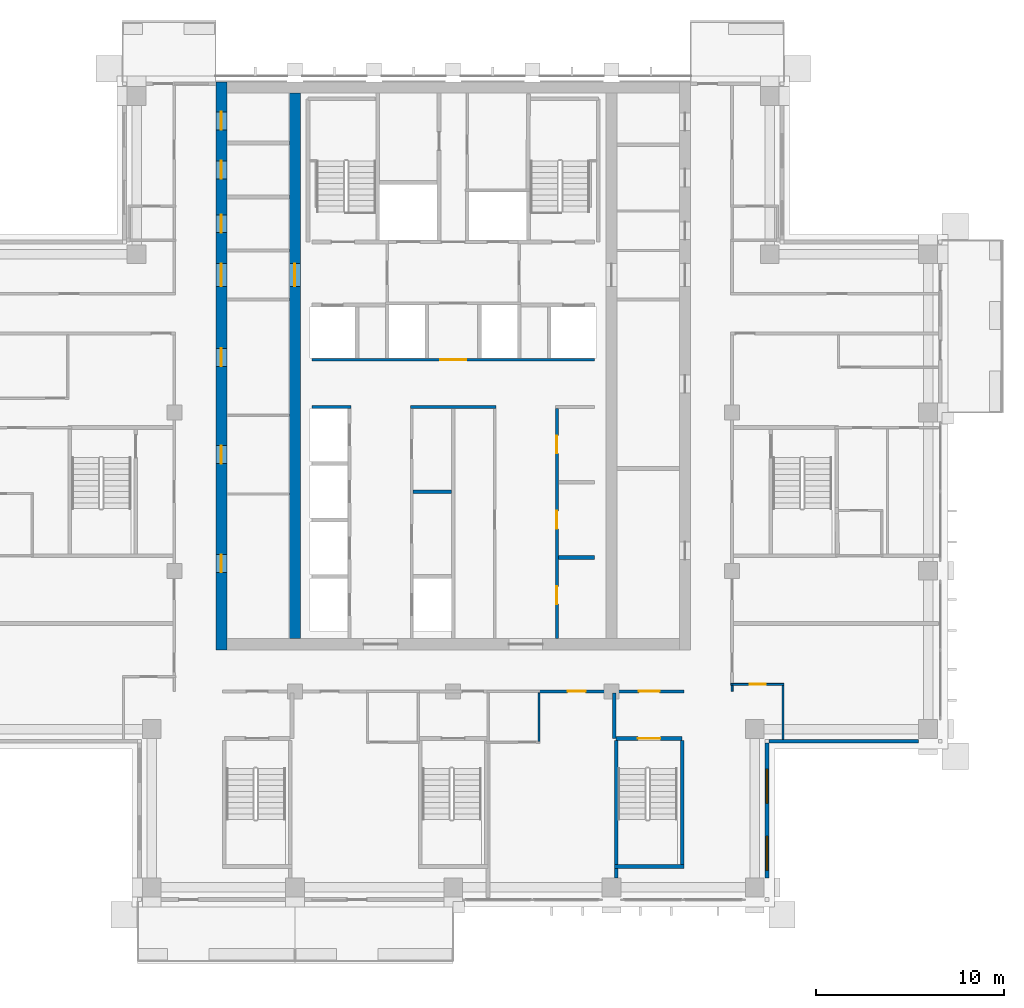
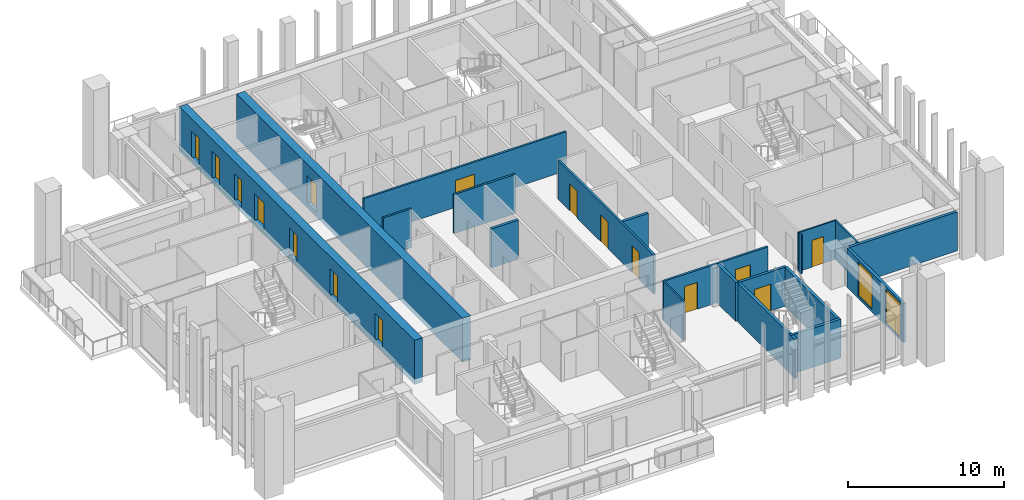
# One storey, part 8 of 16: 20 walls, 16 doors, 2 windows, 18 openings.
"""IFC4 building model written with IfcOpenShell, lengths in metres."""

from ifc_helpers import new_model, si_unit, direction, frame, frame_2d, origin, place, context, subcontext, project, spatial, rectangle, extrude, material, layer, layer_set, type_object, element, fill, save


model = new_model("IFC4")

# Units and contexts
model_context = context("Model", 3, precision=1e-05, world=origin(), true_north=direction((0.0, 1.0)))
body_context = subcontext(model_context, "Body", "Model", "MODEL_VIEW")
ifc_project = project(units=[si_unit("LENGTHUNIT", "METRE"), si_unit("AREAUNIT", "SQUARE_METRE"), si_unit("VOLUMEUNIT", "CUBIC_METRE"), si_unit("PLANEANGLEUNIT", "RADIAN"), si_unit("MASSUNIT", "GRAM", prefix="KILO")], contexts=[model_context])

# Site, building, storey
site_placement = place(None, origin())
site = spatial("IfcSite", under=ifc_project, at=site_placement, CompositionType="ELEMENT")
building_placement = place(site_placement, origin())
building = spatial("IfcBuilding", under=site, at=building_placement, Name="Vermilion Ogive Tower", CompositionType="ELEMENT")
storey_placement = place(building_placement, frame((0.0, 0.0, 206.60009765625)))
storey = spatial("IfcBuildingStorey", under=building, at=storey_placement, Name="L54", CompositionType="ELEMENT", Elevation=206.60009765625)

# Wall, openings, doors
ifc_material_1 = material(Name="Concrete B60", Category="concrete")
ifc_layer_1 = layer(ifc_material_1, 0.60009765625)
ifc_layer_set_1 = layer_set([ifc_layer_1], Name="Core wall 600 B60")
wall_type_1 = type_object("IfcWallType", Name="Core wall 600 B60", PredefinedType="SHEAR", material=ifc_layer_set_1)
wall_1_placement = place(storey_placement, frame((-12.300048828125, -8.39990234375, -0.400146484375), z_axis=(0.0, 0.0, 1.0), x_axis=(0.0, 1.0, 0.0)))
wall_1 = element("IfcWall", 1, at=wall_1_placement, inside=storey, type_object=wall_type_1, Name="L54-CORE-W", PredefinedType="SHEAR", context=body_context, shape_type="SweptSolid", body=[
    extrude(rectangle(XDim=30.14990234375, YDim=0.60009765625, at=frame_2d((15.074951171875, 0.0))), origin(), (0.0, 0.0, 1.0), 3.449951171875),
])
opening_1_placement = place(wall_1_placement, frame((4.112548828125, 0.0, 0.39990234375)))
opening_1 = element("IfcOpeningElement", 2, at=opening_1_placement, cuts=wall_1, Name="Opening DAD089", PredefinedType="OPENING", context=body_context, shape_type="SweptSolid", body=[
    extrude(rectangle(XDim=0.949951171875, YDim=2.10009765625, at=frame_2d((0.47509765625, 1.050048828125))), frame((0.0, 0.31005859375, 0.0), z_axis=(0.0, -1.0, 0.0), x_axis=(1.0, 0.0, 0.0)), (0.0, 0.0, 1.0), 0.6201171875),
])
opening_2_placement = place(wall_1_placement, frame((9.8896484375, 0.0, 0.39990234375)))
opening_2 = element("IfcOpeningElement", 3, at=opening_2_placement, cuts=wall_1, Name="Opening DAD090", PredefinedType="OPENING", context=body_context, shape_type="SweptSolid", body=[
    extrude(rectangle(XDim=0.949951171875, YDim=2.10009765625, at=frame_2d((0.47509765625, 1.050048828125))), frame((0.0, 0.31005859375, 0.0), z_axis=(0.0, -1.0, 0.0), x_axis=(1.0, 0.0, 0.0)), (0.0, 0.0, 1.0), 0.6201171875),
])
opening_3_placement = place(wall_1_placement, frame((15.052001953125, 0.0, 0.39990234375)))
opening_3 = element("IfcOpeningElement", 4, at=opening_3_placement, cuts=wall_1, Name="Opening DAD091", PredefinedType="OPENING", context=body_context, shape_type="SweptSolid", body=[
    extrude(rectangle(XDim=0.949951171875, YDim=2.10009765625, at=frame_2d((0.47509765625, 1.050048828125))), frame((0.0, 0.31005859375, 0.0), z_axis=(0.0, -1.0, 0.0), x_axis=(1.0, 0.0, 0.0)), (0.0, 0.0, 1.0), 0.6201171875),
])
opening_4_placement = place(wall_1_placement, frame((22.1435546875, 0.0, 0.39990234375)))
opening_4 = element("IfcOpeningElement", 5, at=opening_4_placement, cuts=wall_1, Name="Opening DAD092", PredefinedType="OPENING", context=body_context, shape_type="SweptSolid", body=[
    extrude(rectangle(XDim=0.949951171875, YDim=2.10009765625, at=frame_2d((0.47509765625, 1.050048828125))), frame((0.0, 0.31005859375, 0.0), z_axis=(0.0, -1.0, 0.0), x_axis=(1.0, 0.0, 0.0)), (0.0, 0.0, 1.0), 0.6201171875),
])
opening_5_placement = place(wall_1_placement, frame((24.998291015625, 0.0, 0.39990234375)))
opening_5 = element("IfcOpeningElement", 6, at=opening_5_placement, cuts=wall_1, Name="Opening DAD093", PredefinedType="OPENING", context=body_context, shape_type="SweptSolid", body=[
    extrude(rectangle(XDim=0.949951171875, YDim=2.10009765625, at=frame_2d((0.47509765625, 1.050048828125))), frame((0.0, 0.31005859375, 0.0), z_axis=(0.0, -1.0, 0.0), x_axis=(1.0, 0.0, 0.0)), (0.0, 0.0, 1.0), 0.6201171875),
])
opening_6_placement = place(wall_1_placement, frame((27.604736328125, 0.0, 0.39990234375)))
opening_6 = element("IfcOpeningElement", 7, at=opening_6_placement, cuts=wall_1, Name="Opening DAD094", PredefinedType="OPENING", context=body_context, shape_type="SweptSolid", body=[
    extrude(rectangle(XDim=0.949951171875, YDim=2.10009765625, at=frame_2d((0.47509765625, 1.050048828125))), frame((0.0, 0.31005859375, 0.0), z_axis=(0.0, -1.0, 0.0), x_axis=(1.0, 0.0, 0.0)), (0.0, 0.0, 1.0), 0.6201171875),
])
opening_7_placement = place(wall_1_placement, frame((19.300048828125, 0.0, 0.39990234375)))
opening_7 = element("IfcOpeningElement", 8, at=opening_7_placement, cuts=wall_1, Name="Opening DAM022", PredefinedType="OPENING", context=body_context, shape_type="SweptSolid", body=[
    extrude(rectangle(XDim=1.199951171875, YDim=2.10009765625, at=frame_2d((0.60009765625, 1.050048828125))), frame((0.0, 0.31005859375, 0.0), z_axis=(0.0, -1.0, 0.0), x_axis=(1.0, 0.0, 0.0)), (0.0, 0.0, 1.0), 0.6201171875),
])
ifc_material_2 = material(Name="Timber door leaf", Category="wood")
door_type_1 = type_object("IfcDoorType", Name="Link door 1200 x 2100 FD60S", OperationType="SINGLE_SWING_LEFT", PredefinedType="DOOR", material=ifc_material_2)
door_1_placement = place(opening_7_placement, origin())
door_1 = element("IfcDoor", 9, at=door_1_placement, inside=storey, type_object=door_type_1, Name="L54-CKW-XL", OperationType="SINGLE_SWING_LEFT", OverallHeight=2.10009765625, OverallWidth=1.199951171875, PredefinedType="DOOR", context=body_context, shape_type="SweptSolid", body=[
    extrude(rectangle(XDim=1.199951171875, YDim=2.10009765625, at=frame_2d((0.60009765625, 1.050048828125))), frame((0.0, 0.02490234375, 0.0), z_axis=(0.0, -1.0, 0.0), x_axis=(1.0, 0.0, 0.0)), (0.0, 0.0, 1.0), 0.050048828125),
])
fill(opening_7, door_1)
ifc_material_3 = material(Name="Timber door leaf", Category="wood")
door_type_2 = type_object("IfcDoorType", Name="Service door 950 x 2100 FD60", OperationType="SINGLE_SWING_LEFT", PredefinedType="DOOR", material=ifc_material_3)
door_2_placement = place(opening_1_placement, origin())
door_2 = element("IfcDoor", 10, at=door_2_placement, inside=storey, type_object=door_type_2, Name="L54-CKW-XR0", OperationType="SINGLE_SWING_LEFT", OverallHeight=2.10009765625, OverallWidth=0.949951171875, PredefinedType="DOOR", context=body_context, shape_type="SweptSolid", body=[
    extrude(rectangle(XDim=0.949951171875, YDim=2.10009765625, at=frame_2d((0.47509765625, 1.050048828125))), frame((0.0, 0.02490234375, 0.0), z_axis=(0.0, -1.0, 0.0), x_axis=(1.0, 0.0, 0.0)), (0.0, 0.0, 1.0), 0.050048828125),
])
fill(opening_1, door_2)
door_3_placement = place(opening_2_placement, origin())
door_3 = element("IfcDoor", 11, at=door_3_placement, inside=storey, type_object=door_type_2, Name="L54-CKW-XR1", OperationType="SINGLE_SWING_LEFT", OverallHeight=2.10009765625, OverallWidth=0.949951171875, PredefinedType="DOOR", context=body_context, shape_type="SweptSolid", body=[
    extrude(rectangle(XDim=0.949951171875, YDim=2.10009765625, at=frame_2d((0.47509765625, 1.050048828125))), frame((0.0, 0.02490234375, 0.0), z_axis=(0.0, -1.0, 0.0), x_axis=(1.0, 0.0, 0.0)), (0.0, 0.0, 1.0), 0.050048828125),
])
fill(opening_2, door_3)
door_4_placement = place(opening_3_placement, origin())
door_4 = element("IfcDoor", 12, at=door_4_placement, inside=storey, type_object=door_type_2, Name="L54-CKW-XR2", OperationType="SINGLE_SWING_LEFT", OverallHeight=2.10009765625, OverallWidth=0.949951171875, PredefinedType="DOOR", context=body_context, shape_type="SweptSolid", body=[
    extrude(rectangle(XDim=0.949951171875, YDim=2.10009765625, at=frame_2d((0.47509765625, 1.050048828125))), frame((0.0, 0.02490234375, 0.0), z_axis=(0.0, -1.0, 0.0), x_axis=(1.0, 0.0, 0.0)), (0.0, 0.0, 1.0), 0.050048828125),
])
fill(opening_3, door_4)
door_5_placement = place(opening_4_placement, origin())
door_5 = element("IfcDoor", 13, at=door_5_placement, inside=storey, type_object=door_type_2, Name="L54-CKW-XR3", OperationType="SINGLE_SWING_LEFT", OverallHeight=2.10009765625, OverallWidth=0.949951171875, PredefinedType="DOOR", context=body_context, shape_type="SweptSolid", body=[
    extrude(rectangle(XDim=0.949951171875, YDim=2.10009765625, at=frame_2d((0.47509765625, 1.050048828125))), frame((0.0, 0.02490234375, 0.0), z_axis=(0.0, -1.0, 0.0), x_axis=(1.0, 0.0, 0.0)), (0.0, 0.0, 1.0), 0.050048828125),
])
fill(opening_4, door_5)
door_6_placement = place(opening_5_placement, origin())
door_6 = element("IfcDoor", 14, at=door_6_placement, inside=storey, type_object=door_type_2, Name="L54-CKW-XR4", OperationType="SINGLE_SWING_LEFT", OverallHeight=2.10009765625, OverallWidth=0.949951171875, PredefinedType="DOOR", context=body_context, shape_type="SweptSolid", body=[
    extrude(rectangle(XDim=0.949951171875, YDim=2.10009765625, at=frame_2d((0.47509765625, 1.050048828125))), frame((0.0, 0.02490234375, 0.0), z_axis=(0.0, -1.0, 0.0), x_axis=(1.0, 0.0, 0.0)), (0.0, 0.0, 1.0), 0.050048828125),
])
fill(opening_5, door_6)
door_7_placement = place(opening_6_placement, origin())
door_7 = element("IfcDoor", 15, at=door_7_placement, inside=storey, type_object=door_type_2, Name="L54-CKW-XR5", OperationType="SINGLE_SWING_LEFT", OverallHeight=2.10009765625, OverallWidth=0.949951171875, PredefinedType="DOOR", context=body_context, shape_type="SweptSolid", body=[
    extrude(rectangle(XDim=0.949951171875, YDim=2.10009765625, at=frame_2d((0.47509765625, 1.050048828125))), frame((0.0, 0.02490234375, 0.0), z_axis=(0.0, -1.0, 0.0), x_axis=(1.0, 0.0, 0.0)), (0.0, 0.0, 1.0), 0.050048828125),
])
fill(opening_6, door_7)

# Wall, opening, door
wall_2_placement = place(storey_placement, frame((-8.39990234375, -7.800048828125, -0.400146484375), z_axis=(0.0, 0.0, 1.0), x_axis=(0.0, 1.0, 0.0)))
wall_2 = element("IfcWall", 16, at=wall_2_placement, inside=storey, type_object=wall_type_1, Name="L54-CORE-WEB1", PredefinedType="SHEAR", context=body_context, shape_type="SweptSolid", body=[
    extrude(rectangle(XDim=28.949951171875, YDim=0.60009765625, at=frame_2d((14.47509765625, 0.0))), origin(), (0.0, 0.0, 1.0), 3.449951171875),
])
opening_8_placement = place(wall_2_placement, frame((18.699951171875, 0.0, 0.39990234375)))
opening_8 = element("IfcOpeningElement", 17, at=opening_8_placement, cuts=wall_2, Name="Opening DAP017", PredefinedType="OPENING", context=body_context, shape_type="SweptSolid", body=[
    extrude(rectangle(XDim=1.199951171875, YDim=2.10009765625, at=frame_2d((0.60009765625, 1.050048828125))), frame((0.0, 0.31005859375, 0.0), z_axis=(0.0, -1.0, 0.0), x_axis=(1.0, 0.0, 0.0)), (0.0, 0.0, 1.0), 0.6201171875),
])
door_8_placement = place(opening_8_placement, origin())
door_8 = element("IfcDoor", 18, at=door_8_placement, inside=storey, type_object=door_type_1, Name="L54-CKW-XW", OperationType="SINGLE_SWING_LEFT", OverallHeight=2.10009765625, OverallWidth=1.199951171875, PredefinedType="DOOR", context=body_context, shape_type="SweptSolid", body=[
    extrude(rectangle(XDim=1.199951171875, YDim=2.10009765625, at=frame_2d((0.60009765625, 1.050048828125))), frame((0.0, 0.02490234375, 0.0), z_axis=(0.0, -1.0, 0.0), x_axis=(1.0, 0.0, 0.0)), (0.0, 0.0, 1.0), 0.050048828125),
])
fill(opening_8, door_8)

ifc_material_4 = material(Name="Gypsum board partition on steel studs", Category="steel")
ifc_layer_2 = layer(ifc_material_4, 0.10009765625)
ifc_layer_set_2 = layer_set([ifc_layer_2], Name="Partition 100 bath")
wall_type_2 = type_object("IfcWallType", Name="Partition 100 bath", PredefinedType="PARTITIONING", material=ifc_layer_set_2)
wall_3_placement = place(storey_placement, frame((14.72509765625, -10.22998046875, 0.0), z_axis=(0.0, 0.0, 1.0), x_axis=(1.0, 0.0, 0.0)))
wall_3 = element("IfcWall", 19, at=wall_3_placement, inside=storey, type_object=wall_type_2, Name="L54-W-W012", PredefinedType="PARTITIONING", context=body_context, shape_type="SweptSolid", body=[
    extrude(rectangle(XDim=2.824951171875, YDim=0.10009765625, at=frame_2d((1.41259765625, 0.0))), origin(), (0.0, 0.0, 1.0), 3.0498046875),
])
opening_9_placement = place(wall_3_placement, frame((1.0, 0.0, 0.0)))
opening_9 = element("IfcOpeningElement", 20, at=opening_9_placement, cuts=wall_3, Name="Opening D4G5014", PredefinedType="OPENING", context=body_context, shape_type="SweptSolid", body=[
    extrude(rectangle(XDim=0.85009765625, YDim=2.10009765625, at=frame_2d((0.425048828125, 1.050048828125))), frame((0.0, 0.06005859375, 0.0), z_axis=(0.0, -1.0, 0.0), x_axis=(1.0, 0.0, 0.0)), (0.0, 0.0, 1.0), 0.1201171875),
])
ifc_material_5 = material(Name="Timber door leaf", Category="wood")
door_type_3 = type_object("IfcDoorType", Name="Bath door 850 x 2100 FD30", OperationType="SINGLE_SWING_LEFT", PredefinedType="DOOR", material=ifc_material_5)
door_9_placement = place(opening_9_placement, origin())
door_9 = element("IfcDoor", 21, at=door_9_placement, inside=storey, type_object=door_type_3, Name="L54-D-D014", OperationType="SINGLE_SWING_RIGHT", OverallHeight=2.10009765625, OverallWidth=0.85009765625, PredefinedType="DOOR", context=body_context, shape_type="SweptSolid", body=[
    extrude(rectangle(XDim=0.85009765625, YDim=2.10009765625, at=frame_2d((0.425048828125, 1.050048828125))), frame((0.0, 0.02490234375, 0.0), z_axis=(0.0, -1.0, 0.0), x_axis=(1.0, 0.0, 0.0)), (0.0, 0.0, 1.0), 0.050048828125),
])
fill(opening_9, door_9)

# Walls
wall_4_placement = place(storey_placement, frame((4.550048828125, -13.25, 0.0), z_axis=(0.0, 0.0, 1.0), x_axis=(0.0, 1.0, 0.0)))
element("IfcWall", 22, at=wall_4_placement, inside=storey, type_object=wall_type_2, Name="L54-W-W057", PredefinedType="PARTITIONING", context=body_context, shape_type="SweptSolid", body=[
    extrude(rectangle(XDim=2.574951171875, YDim=0.10009765625, at=frame_2d((1.28759765625, 0.0))), origin(), (0.0, 0.0, 1.0), 3.0498046875),
])
wall_5_placement = place(storey_placement, frame((14.800048828125, -10.60009765625, 0.0), z_axis=(0.0, 0.0, 1.0), x_axis=(0.0, 1.0, 0.0)))
element("IfcWall", 23, at=wall_5_placement, inside=storey, type_object=wall_type_2, Name="L54-W-W059", PredefinedType="PARTITIONING", context=body_context, shape_type="SweptSolid", body=[
    extrude(rectangle(XDim=0.320068359375, YDim=0.10009765625, at=frame_2d((0.16015625, 0.0))), origin(), (0.0, 0.0, 1.0), 3.0498046875),
])
wall_6_placement = place(storey_placement, frame((17.5, -13.14990234375, 0.0), z_axis=(0.0, 0.0, 1.0), x_axis=(0.0, 1.0, 0.0)))
element("IfcWall", 24, at=wall_6_placement, inside=storey, type_object=wall_type_2, Name="L54-W-W066", PredefinedType="PARTITIONING", context=body_context, shape_type="SweptSolid", body=[
    extrude(rectangle(XDim=2.869873046875, YDim=0.10009765625, at=frame_2d((1.43505859375, 0.0))), origin(), (0.0, 0.0, 1.0), 3.0498046875),
])

# Wall, openings, doors
ifc_material_6 = material(Name="Gypsum board partition on steel studs", Category="steel")
ifc_layer_3 = layer(ifc_material_6, 0.14990234375)
ifc_layer_set_3 = layer_set([ifc_layer_3], Name="Partition 150 corridor")
wall_type_3 = type_object("IfcWallType", Name="Partition 150 corridor", PredefinedType="PARTITIONING", material=ifc_layer_set_3)
wall_7_placement = place(storey_placement, frame((4.5, -10.60009765625, 0.0), z_axis=(0.0, 0.0, 1.0), x_axis=(1.0, 0.0, 0.0)))
wall_7 = element("IfcWall", 25, at=wall_7_placement, inside=storey, type_object=wall_type_3, Name="L54-W-W011", PredefinedType="PARTITIONING", context=body_context, shape_type="SweptSolid", body=[
    extrude(rectangle(XDim=7.75, YDim=0.14990234375, at=frame_2d((3.875, 0.0))), origin(), (0.0, 0.0, 1.0), 3.0498046875),
])
opening_10_placement = place(wall_7_placement, frame((1.574951171875, 0.0, 0.0)))
opening_10 = element("IfcOpeningElement", 26, at=opening_10_placement, cuts=wall_7, Name="Opening D4G5011", PredefinedType="OPENING", context=body_context, shape_type="SweptSolid", body=[
    extrude(rectangle(XDim=0.949951171875, YDim=2.10009765625, at=frame_2d((0.47509765625, 1.050048828125))), frame((0.0, 0.0849609375, 0.0), z_axis=(0.0, -1.0, 0.0), x_axis=(1.0, 0.0, 0.0)), (0.0, 0.0, 1.0), 0.169921875),
])
opening_11_placement = place(wall_7_placement, frame((5.35009765625, 0.0, 0.0)))
opening_11 = element("IfcOpeningElement", 27, at=opening_11_placement, cuts=wall_7, Name="Opening D4G5026", PredefinedType="OPENING", context=body_context, shape_type="SweptSolid", body=[
    extrude(rectangle(XDim=1.10009765625, YDim=2.10009765625, at=frame_2d((0.550048828125, 1.050048828125))), frame((0.0, 0.0849609375, 0.0), z_axis=(0.0, -1.0, 0.0), x_axis=(1.0, 0.0, 0.0)), (0.0, 0.0, 1.0), 0.169921875),
])
ifc_material_7 = material(Name="Timber door leaf", Category="wood")
door_type_4 = type_object("IfcDoorType", Name="Stair door 1100 x 2100 FD60S", OperationType="SINGLE_SWING_LEFT", PredefinedType="DOOR", material=ifc_material_7)
door_10_placement = place(opening_11_placement, origin())
door_10 = element("IfcDoor", 28, at=door_10_placement, inside=storey, type_object=door_type_4, Name="L54-D-D026", OperationType="SINGLE_SWING_LEFT", OverallHeight=2.10009765625, OverallWidth=1.10009765625, PredefinedType="DOOR", context=body_context, shape_type="SweptSolid", body=[
    extrude(rectangle(XDim=1.10009765625, YDim=2.10009765625, at=frame_2d((0.550048828125, 1.050048828125))), frame((0.0, 0.02490234375, 0.0), z_axis=(0.0, -1.0, 0.0), x_axis=(1.0, 0.0, 0.0)), (0.0, 0.0, 1.0), 0.050048828125),
])
fill(opening_11, door_10)
ifc_material_8 = material(Name="Timber door leaf", Category="wood")
door_type_5 = type_object("IfcDoorType", Name="Unit door 950 x 2100 FD30S", OperationType="SINGLE_SWING_LEFT", PredefinedType="DOOR", material=ifc_material_8)
door_11_placement = place(opening_10_placement, origin())
door_11 = element("IfcDoor", 29, at=door_11_placement, inside=storey, type_object=door_type_5, Name="L54-D-D011", OperationType="SINGLE_SWING_LEFT", OverallHeight=2.10009765625, OverallWidth=0.949951171875, PredefinedType="DOOR", context=body_context, shape_type="SweptSolid", body=[
    extrude(rectangle(XDim=0.949951171875, YDim=2.10009765625, at=frame_2d((0.47509765625, 1.050048828125))), frame((0.0, 0.02490234375, 0.0), z_axis=(0.0, -1.0, 0.0), x_axis=(1.0, 0.0, 0.0)), (0.0, 0.0, 1.0), 0.050048828125),
])
fill(opening_10, door_11)

# Walls
wall_8_placement = place(storey_placement, frame((-7.5, 4.5, 0.0), z_axis=(0.0, 0.0, 1.0), x_axis=(1.0, 0.0, 0.0)))
element("IfcWall", 30, at=wall_8_placement, inside=storey, type_object=wall_type_3, Name="L54-CK-W-W008", PredefinedType="PARTITIONING", context=body_context, shape_type="SweptSolid", body=[
    extrude(rectangle(XDim=2.074951171875, YDim=0.14990234375, at=frame_2d((1.03759765625, 0.0))), origin(), (0.0, 0.0, 1.0), 3.0498046875),
])
wall_9_placement = place(storey_placement, frame((-2.27490234375, 4.5, 0.0), z_axis=(0.0, 0.0, 1.0), x_axis=(1.0, 0.0, 0.0)))
element("IfcWall", 31, at=wall_9_placement, inside=storey, type_object=wall_type_3, Name="L54-CK-W-W009", PredefinedType="PARTITIONING", context=body_context, shape_type="SweptSolid", body=[
    extrude(rectangle(XDim=4.5498046875, YDim=0.14990234375, at=frame_2d((2.27490234375, 0.0))), origin(), (0.0, 0.0, 1.0), 3.0498046875),
])

# Wall, opening, door
wall_10_placement = place(storey_placement, frame((-7.5, 7.0, 0.0), z_axis=(0.0, 0.0, 1.0), x_axis=(1.0, 0.0, 0.0)))
wall_10 = element("IfcWall", 32, at=wall_10_placement, inside=storey, type_object=wall_type_3, Name="L54-CK-W-W011", PredefinedType="PARTITIONING", context=body_context, shape_type="SweptSolid", body=[
    extrude(rectangle(XDim=15.0, YDim=0.14990234375, at=frame_2d((7.5, 0.0))), origin(), (0.0, 0.0, 1.0), 3.0498046875),
])
opening_12_placement = place(wall_10_placement, frame((6.800048828125, 0.0, 0.0)))
opening_12 = element("IfcOpeningElement", 33, at=opening_12_placement, cuts=wall_10, Name="Opening DAA492", PredefinedType="OPENING", context=body_context, shape_type="SweptSolid", body=[
    extrude(rectangle(XDim=1.39990234375, YDim=2.10009765625, at=frame_2d((0.699951171875, 1.050048828125))), frame((0.0, 0.0849609375, 0.0), z_axis=(0.0, -1.0, 0.0), x_axis=(1.0, 0.0, 0.0)), (0.0, 0.0, 1.0), 0.169921875),
])
ifc_material_9 = material(Name="Timber door leaf", Category="wood")
door_type_6 = type_object("IfcDoorType", Name="Lobby door 1400 x 2100 FD60S", OperationType="SINGLE_SWING_LEFT", PredefinedType="DOOR", material=ifc_material_9)
door_12_placement = place(opening_12_placement, origin())
door_12 = element("IfcDoor", 34, at=door_12_placement, inside=storey, type_object=door_type_6, Name="L54-CK-D-D016", OperationType="SINGLE_SWING_RIGHT", OverallHeight=2.10009765625, OverallWidth=1.39990234375, PredefinedType="DOOR", context=body_context, shape_type="SweptSolid", body=[
    extrude(rectangle(XDim=1.39990234375, YDim=2.10009765625, at=frame_2d((0.699951171875, 1.050048828125))), frame((0.0, 0.02490234375, 0.0), z_axis=(0.0, -1.0, 0.0), x_axis=(1.0, 0.0, 0.0)), (0.0, 0.0, 1.0), 0.050048828125),
])
fill(opening_12, door_12)

# Wall, openings, doors
wall_11_placement = place(storey_placement, frame((5.5, -7.799072265625, 0.0), z_axis=(0.0, 0.0, 1.0), x_axis=(0.0, 1.0, 0.0)))
wall_11 = element("IfcWall", 35, at=wall_11_placement, inside=storey, type_object=wall_type_3, Name="L54-CK-W-W038", PredefinedType="PARTITIONING", context=body_context, shape_type="SweptSolid", body=[
    extrude(rectangle(XDim=12.22412109375, YDim=0.14990234375, at=frame_2d((6.112060546875, 0.0))), origin(), (0.0, 0.0, 1.0), 3.0498046875),
])
opening_13_placement = place(wall_11_placement, frame((1.823974609375, 0.0, 0.0)))
opening_13 = element("IfcOpeningElement", 36, at=opening_13_placement, cuts=wall_11, Name="Opening DAA498", PredefinedType="OPENING", context=body_context, shape_type="SweptSolid", body=[
    extrude(rectangle(XDim=0.949951171875, YDim=2.10009765625, at=frame_2d((0.47509765625, 1.050048828125))), frame((0.0, 0.0849609375, 0.0), z_axis=(0.0, -1.0, 0.0), x_axis=(1.0, 0.0, 0.0)), (0.0, 0.0, 1.0), 0.169921875),
])
opening_14_placement = place(wall_11_placement, frame((5.823974609375, 0.0, 0.0)))
opening_14 = element("IfcOpeningElement", 37, at=opening_14_placement, cuts=wall_11, Name="Opening DAA499", PredefinedType="OPENING", context=body_context, shape_type="SweptSolid", body=[
    extrude(rectangle(XDim=0.949951171875, YDim=2.10009765625, at=frame_2d((0.47509765625, 1.050048828125))), frame((0.0, 0.0849609375, 0.0), z_axis=(0.0, -1.0, 0.0), x_axis=(1.0, 0.0, 0.0)), (0.0, 0.0, 1.0), 0.169921875),
])
opening_15_placement = place(wall_11_placement, frame((9.823974609375, 0.0, 0.0)))
opening_15 = element("IfcOpeningElement", 38, at=opening_15_placement, cuts=wall_11, Name="Opening DAA500", PredefinedType="OPENING", context=body_context, shape_type="SweptSolid", body=[
    extrude(rectangle(XDim=0.949951171875, YDim=2.10009765625, at=frame_2d((0.47509765625, 1.050048828125))), frame((0.0, 0.0849609375, 0.0), z_axis=(0.0, -1.0, 0.0), x_axis=(1.0, 0.0, 0.0)), (0.0, 0.0, 1.0), 0.169921875),
])
door_13_placement = place(opening_13_placement, origin())
door_13 = element("IfcDoor", 39, at=door_13_placement, inside=storey, type_object=door_type_2, Name="L54-CK-D-D009", OperationType="SINGLE_SWING_LEFT", OverallHeight=2.10009765625, OverallWidth=0.949951171875, PredefinedType="DOOR", context=body_context, shape_type="SweptSolid", body=[
    extrude(rectangle(XDim=0.949951171875, YDim=2.10009765625, at=frame_2d((0.47509765625, 1.050048828125))), frame((0.0, 0.02490234375, 0.0), z_axis=(0.0, -1.0, 0.0), x_axis=(1.0, 0.0, 0.0)), (0.0, 0.0, 1.0), 0.050048828125),
])
fill(opening_13, door_13)
door_14_placement = place(opening_14_placement, origin())
door_14 = element("IfcDoor", 40, at=door_14_placement, inside=storey, type_object=door_type_2, Name="L54-CK-D-D010", OperationType="SINGLE_SWING_LEFT", OverallHeight=2.10009765625, OverallWidth=0.949951171875, PredefinedType="DOOR", context=body_context, shape_type="SweptSolid", body=[
    extrude(rectangle(XDim=0.949951171875, YDim=2.10009765625, at=frame_2d((0.47509765625, 1.050048828125))), frame((0.0, 0.02490234375, 0.0), z_axis=(0.0, -1.0, 0.0), x_axis=(1.0, 0.0, 0.0)), (0.0, 0.0, 1.0), 0.050048828125),
])
fill(opening_14, door_14)
door_15_placement = place(opening_15_placement, origin())
door_15 = element("IfcDoor", 41, at=door_15_placement, inside=storey, type_object=door_type_2, Name="L54-CK-D-D011", OperationType="SINGLE_SWING_RIGHT", OverallHeight=2.10009765625, OverallWidth=0.949951171875, PredefinedType="DOOR", context=body_context, shape_type="SweptSolid", body=[
    extrude(rectangle(XDim=0.949951171875, YDim=2.10009765625, at=frame_2d((0.47509765625, 1.050048828125))), frame((0.0, 0.02490234375, 0.0), z_axis=(0.0, -1.0, 0.0), x_axis=(1.0, 0.0, 0.0)), (0.0, 0.0, 1.0), 0.050048828125),
])
fill(opening_15, door_15)

# Walls
ifc_material_10 = material(Name="Gypsum board partition on steel studs", Category="steel")
ifc_layer_4 = layer(ifc_material_10, 0.199951171875)
ifc_layer_set_4 = layer_set([ifc_layer_4], Name="Partition 200 party")
wall_type_4 = type_object("IfcWallType", Name="Partition 200 party", PredefinedType="PARTITIONING", material=ifc_layer_set_4)
wall_12_placement = place(storey_placement, frame((8.550048828125, -13.10009765625, 0.0), z_axis=(0.0, 0.0, 1.0), x_axis=(0.0, 1.0, 0.0)))
element("IfcWall", 42, at=wall_12_placement, inside=storey, type_object=wall_type_4, Name="L54-W-W058", PredefinedType="PARTITIONING", context=body_context, shape_type="SweptSolid", body=[
    extrude(rectangle(XDim=2.425048828125, YDim=0.199951171875, at=frame_2d((1.21240234375, 0.0))), origin(), (0.0, 0.0, 1.0), 3.0498046875),
])
wall_13_placement = place(storey_placement, frame((5.574951171875, -3.5, 0.0), z_axis=(0.0, 0.0, 1.0), x_axis=(1.0, 0.0, 0.0)))
element("IfcWall", 43, at=wall_13_placement, inside=storey, type_object=wall_type_4, Name="L54-CK-W-W003", PredefinedType="PARTITIONING", context=body_context, shape_type="SweptSolid", body=[
    extrude(rectangle(XDim=1.925048828125, YDim=0.199951171875, at=frame_2d((0.96240234375, 0.0))), origin(), (0.0, 0.0, 1.0), 3.0498046875),
])
wall_14_placement = place(storey_placement, frame((-2.125, 0.0, 0.0), z_axis=(0.0, 0.0, 1.0), x_axis=(1.0, 0.0, 0.0)))
element("IfcWall", 44, at=wall_14_placement, inside=storey, type_object=wall_type_4, Name="L54-CK-W-W005", PredefinedType="PARTITIONING", context=body_context, shape_type="SweptSolid", body=[
    extrude(rectangle(XDim=2.02490234375, YDim=0.199951171875, at=frame_2d((1.012451171875, 0.0))), origin(), (0.0, 0.0, 1.0), 3.0498046875),
])

# Wall, opening, door
ifc_material_11 = material(Name="Concrete B60", Category="concrete")
ifc_layer_5 = layer(ifc_material_11, 0.199951171875)
ifc_layer_set_5 = layer_set([ifc_layer_5], Name="Stair shaft wall 200 Concrete B60")
wall_type_5 = type_object("IfcWallType", Name="Stair shaft wall 200 Concrete B60", PredefinedType="SOLIDWALL", material=ifc_layer_set_5)
wall_15_placement = place(storey_placement, frame((8.64990234375, -13.10009765625, 0.0), z_axis=(0.0, 0.0, 1.0), x_axis=(1.0, 0.0, 0.0)))
wall_15 = element("IfcWall", 45, at=wall_15_placement, inside=storey, type_object=wall_type_5, Name="L54-W-W006", PredefinedType="SOLIDWALL", context=body_context, shape_type="SweptSolid", body=[
    extrude(rectangle(XDim=3.5, YDim=0.199951171875, at=frame_2d((1.75, 0.0))), origin(), (0.0, 0.0, 1.0), 3.0498046875),
])
opening_16_placement = place(wall_15_placement, frame((1.150146484375, 0.0, 0.0)))
opening_16 = element("IfcOpeningElement", 46, at=opening_16_placement, cuts=wall_15, Name="Opening D4G5027", PredefinedType="OPENING", context=body_context, shape_type="SweptSolid", body=[
    extrude(rectangle(XDim=1.199951171875, YDim=2.10009765625, at=frame_2d((0.60009765625, 1.050048828125))), frame((0.0, 0.10986328125, 0.0), z_axis=(0.0, -1.0, 0.0), x_axis=(1.0, 0.0, 0.0)), (0.0, 0.0, 1.0), 0.219970703125),
])
ifc_material_12 = material(Name="Timber door leaf", Category="wood")
door_type_7 = type_object("IfcDoorType", Name="Stair door 1200 x 2100 FD60S", OperationType="SINGLE_SWING_LEFT", PredefinedType="DOOR", material=ifc_material_12)
door_16_placement = place(opening_16_placement, origin())
door_16 = element("IfcDoor", 47, at=door_16_placement, inside=storey, type_object=door_type_7, Name="L54-D-D027", OperationType="SINGLE_SWING_RIGHT", OverallHeight=2.10009765625, OverallWidth=1.199951171875, PredefinedType="DOOR", context=body_context, shape_type="SweptSolid", body=[
    extrude(rectangle(XDim=1.199951171875, YDim=2.10009765625, at=frame_2d((0.60009765625, 1.050048828125))), frame((0.0, 0.02490234375, 0.0), z_axis=(0.0, -1.0, 0.0), x_axis=(1.0, 0.0, 0.0)), (0.0, 0.0, 1.0), 0.050048828125),
])
fill(opening_16, door_16)

# Walls
wall_16_placement = place(storey_placement, frame((8.550048828125, -19.89990234375, 0.0), z_axis=(0.0, 0.0, 1.0), x_axis=(1.0, 0.0, 0.0)))
element("IfcWall", 48, at=wall_16_placement, inside=storey, type_object=wall_type_5, Name="L54-SW-ST5-S1", PredefinedType="SOLIDWALL", context=body_context, shape_type="SweptSolid", body=[
    extrude(rectangle(XDim=3.699951171875, YDim=0.199951171875, at=frame_2d((1.85009765625, 0.0))), origin(), (0.0, 0.0, 1.0), 3.0498046875),
])
wall_17_placement = place(storey_placement, frame((8.64990234375, -20.5, 0.0), z_axis=(0.0, 0.0, 1.0), x_axis=(0.0, 1.0, 0.0)))
element("IfcWall", 49, at=wall_17_placement, inside=storey, type_object=wall_type_5, Name="L54-SW-ST5-W1", PredefinedType="SOLIDWALL", context=body_context, shape_type="SweptSolid", body=[
    extrude(rectangle(XDim=7.300048828125, YDim=0.199951171875, at=frame_2d((3.64990234375, 0.0))), origin(), (0.0, 0.0, 1.0), 3.0498046875),
])
wall_18_placement = place(storey_placement, frame((12.14990234375, -19.800048828125, 0.0), z_axis=(0.0, 0.0, 1.0), x_axis=(0.0, 1.0, 0.0)))
element("IfcWall", 50, at=wall_18_placement, inside=storey, type_object=wall_type_5, Name="L54-SW-ST5-E1", PredefinedType="SOLIDWALL", context=body_context, shape_type="SweptSolid", body=[
    extrude(rectangle(XDim=6.60009765625, YDim=0.199951171875, at=frame_2d((3.300048828125, 0.0))), origin(), (0.0, 0.0, 1.0), 3.0498046875),
])

# Wall, openings, windows
ifc_material_13 = material(Name="Aluminium window wall framing", Category="aluminium")
ifc_layer_6 = layer(ifc_material_13, 0.199951171875)
ifc_layer_set_6 = layer_set([ifc_layer_6], Name="Window wall")
wall_type_6 = type_object("IfcWallType", Name="Window wall", PredefinedType="STANDARD", material=ifc_layer_set_6)
wall_19_placement = place(storey_placement, frame((16.64990234375, -20.5, 0.0), z_axis=(0.0, 0.0, 1.0), x_axis=(0.0, 1.0, 0.0)))
wall_19 = element("IfcWall", 51, at=wall_19_placement, inside=storey, type_object=wall_type_6, Name="Window wall X11", PredefinedType="STANDARD", context=body_context, shape_type="SweptSolid", body=[
    extrude(rectangle(XDim=7.14990234375, YDim=0.199951171875, at=frame_2d((3.574951171875, 0.0))), origin(), (0.0, 0.0, 1.0), 3.0498046875),
])
opening_17_placement = place(wall_19_placement, frame((0.39990234375, 0.0, 0.199951171875)))
opening_17 = element("IfcOpeningElement", 52, at=opening_17_placement, cuts=wall_19, Name="Opening W1-X195", PredefinedType="OPENING", context=body_context, shape_type="SweptSolid", body=[
    extrude(rectangle(XDim=1.800048828125, YDim=2.64990234375, at=frame_2d((0.89990234375, 1.324951171875))), frame((0.0, 0.10986328125, 0.0), z_axis=(0.0, -1.0, 0.0), x_axis=(1.0, 0.0, 0.0)), (0.0, 0.0, 1.0), 0.219970703125),
])
opening_18_placement = place(wall_19_placement, frame((3.97509765625, 0.0, 0.199951171875)))
opening_18 = element("IfcOpeningElement", 53, at=opening_18_placement, cuts=wall_19, Name="Opening W1-X196", PredefinedType="OPENING", context=body_context, shape_type="SweptSolid", body=[
    extrude(rectangle(XDim=1.800048828125, YDim=2.64990234375, at=frame_2d((0.89990234375, 1.324951171875))), frame((0.0, 0.10986328125, 0.0), z_axis=(0.0, -1.0, 0.0), x_axis=(1.0, 0.0, 0.0)), (0.0, 0.0, 1.0), 0.219970703125),
])
ifc_material_14 = material(Name="Aluminium framed double glazing", Category="aluminium")
window_type = type_object("IfcWindowType", Name="Guest window W1", PartitioningType="SINGLE_PANEL", PredefinedType="WINDOW", material=ifc_material_14)
window_1_placement = place(opening_17_placement, origin())
window_1 = element("IfcWindow", 54, at=window_1_placement, inside=storey, type_object=window_type, Name="Window X195", OverallHeight=2.64990234375, OverallWidth=1.800048828125, PartitioningType="SINGLE_PANEL", PredefinedType="WINDOW", context=body_context, shape_type="SweptSolid", body=[
    extrude(rectangle(XDim=1.800048828125, YDim=2.64990234375, at=frame_2d((0.89990234375, 1.324951171875))), frame((0.0, 0.030029296875, 0.0), z_axis=(0.0, -1.0, 0.0), x_axis=(1.0, 0.0, 0.0)), (0.0, 0.0, 1.0), 0.06005859375),
])
fill(opening_17, window_1)
window_2_placement = place(opening_18_placement, origin())
window_2 = element("IfcWindow", 55, at=window_2_placement, inside=storey, type_object=window_type, Name="Window X196", OverallHeight=2.64990234375, OverallWidth=1.800048828125, PartitioningType="SINGLE_PANEL", PredefinedType="WINDOW", context=body_context, shape_type="SweptSolid", body=[
    extrude(rectangle(XDim=1.800048828125, YDim=2.64990234375, at=frame_2d((0.89990234375, 1.324951171875))), frame((0.0, 0.030029296875, 0.0), z_axis=(0.0, -1.0, 0.0), x_axis=(1.0, 0.0, 0.0)), (0.0, 0.0, 1.0), 0.06005859375),
])
fill(opening_18, window_2)

# Wall
wall_20_placement = place(storey_placement, frame((16.75, -13.25, 0.0), z_axis=(0.0, 0.0, 1.0), x_axis=(1.0, 0.0, 0.0)))
element("IfcWall", 56, at=wall_20_placement, inside=storey, type_object=wall_type_6, Name="Window wall X21", PredefinedType="STANDARD", context=body_context, shape_type="SweptSolid", body=[
    extrude(rectangle(XDim=7.949951171875, YDim=0.199951171875, at=frame_2d((3.97509765625, 0.0))), origin(), (0.0, 0.0, 1.0), 3.0498046875),
])

save(model, "model.ifc")
